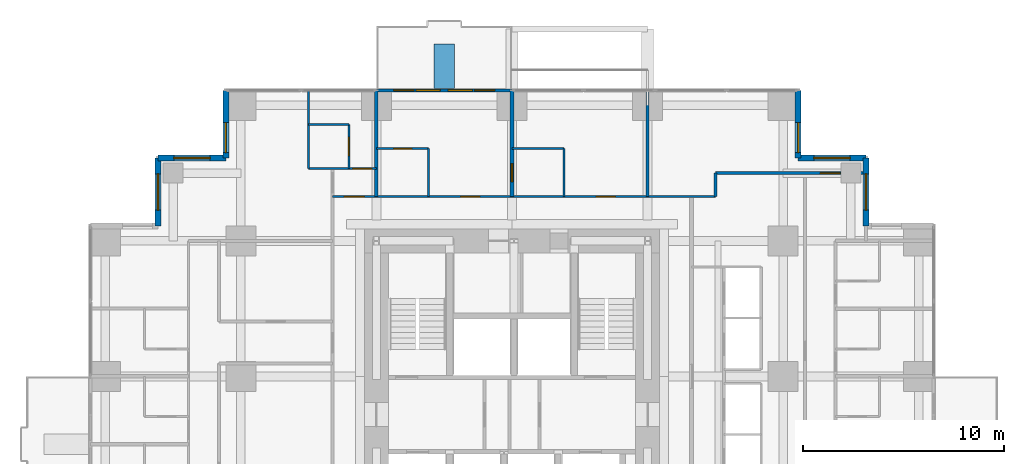
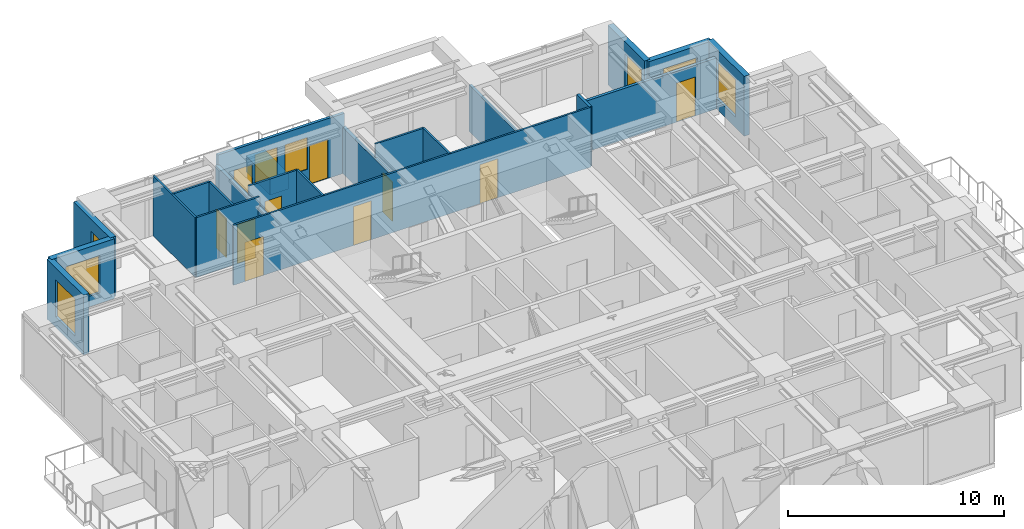
# One storey, part 11 of 13: 22 walls, 10 doors, 8 windows, 18 openings.
"""IFC4 building model written with IfcOpenShell, lengths in metres."""

from ifc_helpers import new_model, si_unit, direction, frame, frame_2d, origin, place, context, subcontext, project, spatial, rectangle, extrude, material, layer, layer_set, type_object, element, fill, save


model = new_model("IFC4")

# Units and contexts
model_context = context("Model", 3, precision=1e-05, world=origin(), true_north=direction((0.0, 1.0)))
body_context = subcontext(model_context, "Body", "Model", "MODEL_VIEW")
ifc_project = project(units=[si_unit("LENGTHUNIT", "METRE"), si_unit("AREAUNIT", "SQUARE_METRE"), si_unit("VOLUMEUNIT", "CUBIC_METRE"), si_unit("PLANEANGLEUNIT", "RADIAN"), si_unit("MASSUNIT", "GRAM", prefix="KILO")], contexts=[model_context])

# Site, building, storey
site_placement = place(None, origin())
site = spatial("IfcSite", under=ifc_project, at=site_placement, CompositionType="ELEMENT")
building_placement = place(site_placement, origin())
building = spatial("IfcBuilding", under=site, at=building_placement, Name="Nyansa Garden Tower", CompositionType="ELEMENT")
storey_placement = place(building_placement, frame((0.0, 0.0, 130.5)))
storey = spatial("IfcBuildingStorey", under=building, at=storey_placement, Name="L35", CompositionType="ELEMENT", Elevation=130.5)

# Wall
ifc_material_1 = material(Name="Dense blockwork, plastered both sides, 55 dB", Category="masonry")
ifc_layer_1 = layer(ifc_material_1, 0.175048828125)
ifc_layer_set_1 = layer_set([ifc_layer_1], Name="Acoustic party wall PW175")
wall_type_1 = type_object("IfcWallType", Name="Acoustic party wall PW175", PredefinedType="PARTITIONING", material=ifc_layer_set_1)
wall_1_placement = place(storey_placement, frame((13.5, 29.199951171875, 0.0), z_axis=(0.0, 0.0, 1.0), x_axis=(0.0, 1.0, 0.0)))
element("IfcWall", 1, at=wall_1_placement, inside=storey, type_object=wall_type_1, Name="Party wall", PredefinedType="PARTITIONING", context=body_context, shape_type="SweptSolid", body=[
    extrude(rectangle(XDim=5.283935546875, YDim=0.175048828125, at=frame_2d((2.64208984375, 0.0))), origin(), (0.0, 0.0, 1.0), 2.805908203125),
])

# Wall, opening, door
wall_2_placement = place(storey_placement, frame((20.25, 29.199951171875, 0.0), z_axis=(0.0, 0.0, 1.0), x_axis=(0.0, 1.0, 0.0)))
wall_2 = element("IfcWall", 2, at=wall_2_placement, inside=storey, type_object=wall_type_1, Name="Party wall", PredefinedType="PARTITIONING", context=body_context, shape_type="SweptSolid", body=[
    extrude(rectangle(XDim=5.283935546875, YDim=0.175048828125, at=frame_2d((2.64208984375, 0.0))), origin(), (0.0, 0.0, 1.0), 2.610107421875),
])
opening_1_placement = place(wall_2_placement, frame((0.75, 0.0, 0.0)))
opening_1 = element("IfcOpeningElement", 3, at=opening_1_placement, cuts=wall_2, Name="Opening D02", PredefinedType="OPENING", context=body_context, shape_type="SweptSolid", body=[
    extrude(rectangle(XDim=0.89990234375, YDim=2.199951171875, at=frame_2d((0.449951171875, 1.10009765625))), frame((0.0, 0.097412109375, 0.0), z_axis=(0.0, -1.0, 0.0), x_axis=(1.0, 0.0, 0.0)), (0.0, 0.0, 1.0), 0.195068359375),
])
ifc_material_2 = material(Name="Timber flush door", Category="wood")
door_type_1 = type_object("IfcDoorType", Name="En-suite door D02 900x2200", OperationType="SINGLE_SWING_RIGHT", PredefinedType="DOOR", material=ifc_material_2)
door_1_placement = place(opening_1_placement, origin())
door_1 = element("IfcDoor", 4, at=door_1_placement, inside=storey, type_object=door_type_1, Name="Door L35-050", OperationType="SINGLE_SWING_RIGHT", OverallHeight=2.199951171875, OverallWidth=0.89990234375, PredefinedType="DOOR", context=body_context, shape_type="SweptSolid", body=[
    extrude(rectangle(XDim=0.89990234375, YDim=2.199951171875, at=frame_2d((0.449951171875, 1.10009765625))), frame((0.0, 0.02490234375, 0.0), z_axis=(0.0, -1.0, 0.0), x_axis=(1.0, 0.0, 0.0)), (0.0, 0.0, 1.0), 0.050048828125),
])
fill(opening_1, door_1)

# Wall, openings, doors, windows
ifc_material_3 = material(Name="Black aluminium framed glazed screen", Category="aluminium")
ifc_layer_2 = layer(ifc_material_3, 0.14990234375)
ifc_layer_set_2 = layer_set([ifc_layer_2], Name="Balcony screen wall BW150")
wall_type_2 = type_object("IfcWallType", Name="Balcony screen wall BW150", PredefinedType="SOLIDWALL", material=ifc_layer_set_2)
wall_3_placement = place(storey_placement, frame((13.5, 34.5, 0.0), z_axis=(0.0, 0.0, 1.0), x_axis=(1.0, 0.0, 0.0)))
wall_3 = element("IfcWall", 5, at=wall_3_placement, inside=storey, type_object=wall_type_2, Name="Glazed screen wall L35 N", PredefinedType="SOLIDWALL", context=body_context, shape_type="SweptSolid", body=[
    extrude(rectangle(XDim=6.75, YDim=0.14990234375, at=frame_2d((3.375, 0.0))), origin(), (0.0, 0.0, 1.0), 3.375),
])
opening_2_placement = place(wall_3_placement, frame((0.862548828125, 0.0, 0.0)))
opening_2 = element("IfcOpeningElement", 6, at=opening_2_placement, cuts=wall_3, Name="Opening D20", PredefinedType="OPENING", context=body_context, shape_type="SweptSolid", body=[
    extrude(rectangle(XDim=1.0, YDim=2.199951171875, at=frame_2d((0.5, 1.10009765625))), frame((0.0, 0.0849609375, 0.0), z_axis=(0.0, -1.0, 0.0), x_axis=(1.0, 0.0, 0.0)), (0.0, 0.0, 1.0), 0.169921875),
])
opening_3_placement = place(wall_3_placement, frame((1.97509765625, 0.0, 0.89990234375)))
opening_3 = element("IfcOpeningElement", 7, at=opening_3_placement, cuts=wall_3, Name="Opening W6", PredefinedType="OPENING", context=body_context, shape_type="SweptSolid", body=[
    extrude(rectangle(XDim=1.199951171875, YDim=1.800048828125, at=frame_2d((0.60009765625, 0.89990234375))), frame((0.0, 0.0849609375, 0.0), z_axis=(0.0, -1.0, 0.0), x_axis=(1.0, 0.0, 0.0)), (0.0, 0.0, 1.0), 0.169921875),
])
opening_4_placement = place(wall_3_placement, frame((4.887451171875, 0.0, 0.0)))
opening_4 = element("IfcOpeningElement", 8, at=opening_4_placement, cuts=wall_3, Name="Opening D20", PredefinedType="OPENING", context=body_context, shape_type="SweptSolid", body=[
    extrude(rectangle(XDim=1.0, YDim=2.199951171875, at=frame_2d((0.5, 1.10009765625))), frame((0.0, 0.0849609375, 0.0), z_axis=(0.0, -1.0, 0.0), x_axis=(1.0, 0.0, 0.0)), (0.0, 0.0, 1.0), 0.169921875),
])
opening_5_placement = place(wall_3_placement, frame((3.574951171875, 0.0, 0.89990234375)))
opening_5 = element("IfcOpeningElement", 9, at=opening_5_placement, cuts=wall_3, Name="Opening W6", PredefinedType="OPENING", context=body_context, shape_type="SweptSolid", body=[
    extrude(rectangle(XDim=1.199951171875, YDim=1.800048828125, at=frame_2d((0.60009765625, 0.89990234375))), frame((0.0, 0.0849609375, 0.0), z_axis=(0.0, -1.0, 0.0), x_axis=(1.0, 0.0, 0.0)), (0.0, 0.0, 1.0), 0.169921875),
])
ifc_material_4 = material(Name="Black aluminium framed glazed door", Category="aluminium")
door_type_2 = type_object("IfcDoorType", Name="Balcony door D20 1000x2200", OperationType="NOTDEFINED", PredefinedType="DOOR", material=ifc_material_4)
door_2_placement = place(opening_2_placement, origin())
door_2 = element("IfcDoor", 10, at=door_2_placement, inside=storey, type_object=door_type_2, Name="Balcony door L35", OperationType="SINGLE_SWING_LEFT", OverallHeight=2.199951171875, OverallWidth=1.0, PredefinedType="DOOR", context=body_context, shape_type="SweptSolid", body=[
    extrude(rectangle(XDim=1.0, YDim=2.199951171875, at=frame_2d((0.5, 1.10009765625))), frame((0.0, 0.02490234375, 0.0), z_axis=(0.0, -1.0, 0.0), x_axis=(1.0, 0.0, 0.0)), (0.0, 0.0, 1.0), 0.050048828125),
])
fill(opening_2, door_2)
door_3_placement = place(opening_4_placement, origin())
door_3 = element("IfcDoor", 11, at=door_3_placement, inside=storey, type_object=door_type_2, Name="Balcony door L35", OperationType="SINGLE_SWING_RIGHT", OverallHeight=2.199951171875, OverallWidth=1.0, PredefinedType="DOOR", context=body_context, shape_type="SweptSolid", body=[
    extrude(rectangle(XDim=1.0, YDim=2.199951171875, at=frame_2d((0.5, 1.10009765625))), frame((0.0, 0.02490234375, 0.0), z_axis=(0.0, -1.0, 0.0), x_axis=(1.0, 0.0, 0.0)), (0.0, 0.0, 1.0), 0.050048828125),
])
fill(opening_4, door_3)
ifc_material_5 = material(Name="Black aluminium frame, dark tinted double glazing", Category="aluminium")
window_type_1 = type_object("IfcWindowType", Name="Balcony window W6 1200x1800", PartitioningType="SINGLE_PANEL", PredefinedType="WINDOW", material=ifc_material_5)
window_1_placement = place(opening_3_placement, origin())
window_1 = element("IfcWindow", 12, at=window_1_placement, inside=storey, type_object=window_type_1, Name="Window L35", OverallHeight=1.800048828125, OverallWidth=1.199951171875, PartitioningType="SINGLE_PANEL", PredefinedType="WINDOW", context=body_context, shape_type="SweptSolid", body=[
    extrude(rectangle(XDim=1.199951171875, YDim=1.800048828125, at=frame_2d((0.60009765625, 0.89990234375))), frame((0.0, 0.030029296875, 0.0), z_axis=(0.0, -1.0, 0.0), x_axis=(1.0, 0.0, 0.0)), (0.0, 0.0, 1.0), 0.06005859375),
])
fill(opening_3, window_1)
window_2_placement = place(opening_5_placement, origin())
window_2 = element("IfcWindow", 13, at=window_2_placement, inside=storey, type_object=window_type_1, Name="Window L35", OverallHeight=1.800048828125, OverallWidth=1.199951171875, PartitioningType="SINGLE_PANEL", PredefinedType="WINDOW", context=body_context, shape_type="SweptSolid", body=[
    extrude(rectangle(XDim=1.199951171875, YDim=1.800048828125, at=frame_2d((0.60009765625, 0.89990234375))), frame((0.0, 0.030029296875, 0.0), z_axis=(0.0, -1.0, 0.0), x_axis=(1.0, 0.0, 0.0)), (0.0, 0.0, 1.0), 0.06005859375),
])
fill(opening_5, window_2)

# Walls
ifc_material_6 = material(Name="Blockwork, plastered both sides", Category="masonry")
ifc_layer_3 = layer(ifc_material_6, 0.14990234375)
ifc_layer_set_3 = layer_set([ifc_layer_3], Name="Partition PW150")
wall_type_3 = type_object("IfcWallType", Name="Partition PW150", PredefinedType="PARTITIONING", material=ifc_layer_set_3)
wall_4_placement = place(storey_placement, frame((27.0, 29.199951171875, 0.0), z_axis=(0.0, 0.0, 1.0), x_axis=(0.0, 1.0, 0.0)))
element("IfcWall", 14, at=wall_4_placement, inside=storey, type_object=wall_type_3, Name="Partition", PredefinedType="PARTITIONING", context=body_context, shape_type="SweptSolid", body=[
    extrude(rectangle(XDim=5.283935546875, YDim=0.14990234375, at=frame_2d((2.64208984375, 0.0))), origin(), (0.0, 0.0, 1.0), 2.610107421875),
])
wall_5_placement = place(storey_placement, frame((30.375, 29.199951171875, 0.0), z_axis=(0.0, 0.0, 1.0), x_axis=(0.0, 1.0, 0.0)))
element("IfcWall", 15, at=wall_5_placement, inside=storey, type_object=wall_type_3, Name="Partition", PredefinedType="PARTITIONING", context=body_context, shape_type="SweptSolid", body=[
    extrude(rectangle(XDim=1.175048828125, YDim=0.14990234375, at=frame_2d((0.58740234375, 0.0))), origin(), (0.0, 0.0, 1.0), 3.375),
])

# Wall, opening, door
wall_6_placement = place(storey_placement, frame((30.375, 30.375, 0.0), z_axis=(0.0, 0.0, 1.0), x_axis=(1.0, 0.0, 0.0)))
wall_6 = element("IfcWall", 16, at=wall_6_placement, inside=storey, type_object=wall_type_3, Name="Partition", PredefinedType="PARTITIONING", context=body_context, shape_type="SweptSolid", body=[
    extrude(rectangle(XDim=7.35009765625, YDim=0.14990234375, at=frame_2d((3.675048828125, 0.0))), origin(), (0.0, 0.0, 1.0), 2.876953125),
])
opening_6_placement = place(wall_6_placement, frame((5.22509765625, 0.0, 0.0)))
opening_6 = element("IfcOpeningElement", 17, at=opening_6_placement, cuts=wall_6, Name="Opening D03", PredefinedType="OPENING", context=body_context, shape_type="SweptSolid", body=[
    extrude(rectangle(XDim=1.0, YDim=2.199951171875, at=frame_2d((0.5, 1.10009765625))), frame((0.0, 0.0849609375, 0.0), z_axis=(0.0, -1.0, 0.0), x_axis=(1.0, 0.0, 0.0)), (0.0, 0.0, 1.0), 0.169921875),
])
ifc_material_7 = material(Name="Timber flush door, 60 minute fire resisting", Category="wood")
door_type_3 = type_object("IfcDoorType", Name="Cluster entrance door D03 1000x2200", OperationType="SINGLE_SWING_LEFT", PredefinedType="DOOR", material=ifc_material_7)
door_4_placement = place(opening_6_placement, origin())
door_4 = element("IfcDoor", 18, at=door_4_placement, inside=storey, type_object=door_type_3, Name="Door L35-046", OperationType="SINGLE_SWING_LEFT", OverallHeight=2.199951171875, OverallWidth=1.0, PredefinedType="DOOR", context=body_context, shape_type="SweptSolid", body=[
    extrude(rectangle(XDim=1.0, YDim=2.199951171875, at=frame_2d((0.5, 1.10009765625))), frame((0.0, 0.02490234375, 0.0), z_axis=(0.0, -1.0, 0.0), x_axis=(1.0, 0.0, 0.0)), (0.0, 0.0, 1.0), 0.050048828125),
])
fill(opening_6, door_4)

# Wall, opening, window
ifc_material_8 = material(Name="Turquoise glazed tile on concrete blockwork", Category="masonry")
ifc_layer_4 = layer(ifc_material_8, 0.300048828125)
ifc_layer_set_4 = layer_set([ifc_layer_4], Name="Tiled corner wall TW300")
wall_type_4 = type_object("IfcWallType", Name="Tiled corner wall TW300", PredefinedType="SOLIDWALL", material=ifc_layer_set_4)
wall_7_placement = place(storey_placement, frame((37.875, 27.75, 0.0), z_axis=(0.0, 0.0, 1.0), x_axis=(0.0, 1.0, 0.0)))
wall_7 = element("IfcWall", 19, at=wall_7_placement, inside=storey, type_object=wall_type_4, Name="Tiled corner wall L35", PredefinedType="SOLIDWALL", context=body_context, shape_type="SweptSolid", body=[
    extrude(rectangle(XDim=3.375, YDim=0.300048828125, at=frame_2d((1.6875, 0.0))), origin(), (0.0, 0.0, 1.0), 3.375),
])
opening_7_placement = place(wall_7_placement, frame((0.78759765625, 0.0, 0.60009765625)))
opening_7 = element("IfcOpeningElement", 20, at=opening_7_placement, cuts=wall_7, Name="Opening W2", PredefinedType="OPENING", context=body_context, shape_type="SweptSolid", body=[
    extrude(rectangle(XDim=1.800048828125, YDim=2.10009765625, at=frame_2d((0.89990234375, 1.050048828125))), frame((0.0, 0.159912109375, 0.0), z_axis=(0.0, -1.0, 0.0), x_axis=(1.0, 0.0, 0.0)), (0.0, 0.0, 1.0), 0.320068359375),
])
ifc_material_9 = material(Name="Black aluminium frame, dark tinted double glazing", Category="aluminium")
window_type_2 = type_object("IfcWindowType", Name="Window W2 1800x2100", PartitioningType="SINGLE_PANEL", PredefinedType="WINDOW", material=ifc_material_9)
window_3_placement = place(opening_7_placement, origin())
window_3 = element("IfcWindow", 21, at=window_3_placement, inside=storey, type_object=window_type_2, Name="Corner window L35", OverallHeight=2.10009765625, OverallWidth=1.800048828125, PartitioningType="SINGLE_PANEL", PredefinedType="WINDOW", context=body_context, shape_type="SweptSolid", body=[
    extrude(rectangle(XDim=1.800048828125, YDim=2.10009765625, at=frame_2d((0.89990234375, 1.050048828125))), frame((0.0, 0.030029296875, 0.0), z_axis=(0.0, -1.0, 0.0), x_axis=(1.0, 0.0, 0.0)), (0.0, 0.0, 1.0), 0.06005859375),
])
fill(opening_7, window_3)

wall_8_placement = place(storey_placement, frame((37.875, 31.125, 0.0), z_axis=(0.0, 0.0, 1.0), x_axis=(-1.0, 0.0, 0.0)))
wall_8 = element("IfcWall", 22, at=wall_8_placement, inside=storey, type_object=wall_type_4, Name="Tiled corner wall L35", PredefinedType="SOLIDWALL", context=body_context, shape_type="SweptSolid", body=[
    extrude(rectangle(XDim=3.375, YDim=0.300048828125, at=frame_2d((1.6875, 0.0))), origin(), (0.0, 0.0, 1.0), 3.375),
])
opening_8_placement = place(wall_8_placement, frame((0.78759765625, 0.0, 0.60009765625)))
opening_8 = element("IfcOpeningElement", 23, at=opening_8_placement, cuts=wall_8, Name="Opening W2", PredefinedType="OPENING", context=body_context, shape_type="SweptSolid", body=[
    extrude(rectangle(XDim=1.800048828125, YDim=2.10009765625, at=frame_2d((0.89990234375, 1.050048828125))), frame((0.0, 0.159912109375, 0.0), z_axis=(0.0, -1.0, 0.0), x_axis=(1.0, 0.0, 0.0)), (0.0, 0.0, 1.0), 0.320068359375),
])
window_4_placement = place(opening_8_placement, origin())
window_4 = element("IfcWindow", 24, at=window_4_placement, inside=storey, type_object=window_type_2, Name="Corner window L35", OverallHeight=2.10009765625, OverallWidth=1.800048828125, PartitioningType="SINGLE_PANEL", PredefinedType="WINDOW", context=body_context, shape_type="SweptSolid", body=[
    extrude(rectangle(XDim=1.800048828125, YDim=2.10009765625, at=frame_2d((0.89990234375, 1.050048828125))), frame((0.0, 0.030029296875, 0.0), z_axis=(0.0, -1.0, 0.0), x_axis=(1.0, 0.0, 0.0)), (0.0, 0.0, 1.0), 0.06005859375),
])
fill(opening_8, window_4)

wall_9_placement = place(storey_placement, frame((34.5, 31.125, 0.0), z_axis=(0.0, 0.0, 1.0), x_axis=(0.0, 1.0, 0.0)))
wall_9 = element("IfcWall", 25, at=wall_9_placement, inside=storey, type_object=wall_type_4, Name="Tiled corner wall L35", PredefinedType="SOLIDWALL", context=body_context, shape_type="SweptSolid", body=[
    extrude(rectangle(XDim=3.375, YDim=0.300048828125, at=frame_2d((1.6875, 0.0))), origin(), (0.0, 0.0, 1.0), 3.375),
])
opening_9_placement = place(wall_9_placement, frame((0.267578125, 0.0, 0.89990234375)))
opening_9 = element("IfcOpeningElement", 26, at=opening_9_placement, cuts=wall_9, Name="Opening W1", PredefinedType="OPENING", context=body_context, shape_type="SweptSolid", body=[
    extrude(rectangle(XDim=1.5, YDim=1.800048828125, at=frame_2d((0.75, 0.89990234375))), frame((0.0, 0.159912109375, 0.0), z_axis=(0.0, -1.0, 0.0), x_axis=(1.0, 0.0, 0.0)), (0.0, 0.0, 1.0), 0.320068359375),
])
ifc_material_10 = material(Name="Black aluminium frame, dark tinted double glazing", Category="aluminium")
window_type_3 = type_object("IfcWindowType", Name="Window W1 1500x1800", PartitioningType="SINGLE_PANEL", PredefinedType="WINDOW", material=ifc_material_10)
window_5_placement = place(opening_9_placement, origin())
window_5 = element("IfcWindow", 27, at=window_5_placement, inside=storey, type_object=window_type_3, Name="Corner window L35", OverallHeight=1.800048828125, OverallWidth=1.5, PartitioningType="SINGLE_PANEL", PredefinedType="WINDOW", context=body_context, shape_type="SweptSolid", body=[
    extrude(rectangle(XDim=1.5, YDim=1.800048828125, at=frame_2d((0.75, 0.89990234375))), frame((0.0, 0.030029296875, 0.0), z_axis=(0.0, -1.0, 0.0), x_axis=(1.0, 0.0, 0.0)), (0.0, 0.0, 1.0), 0.06005859375),
])
fill(opening_9, window_5)

wall_10_placement = place(storey_placement, frame((6.0, 34.5, 0.0), z_axis=(0.0, 0.0, 1.0), x_axis=(0.0, -1.0, 0.0)))
wall_10 = element("IfcWall", 28, at=wall_10_placement, inside=storey, type_object=wall_type_4, Name="Tiled corner wall L35", PredefinedType="SOLIDWALL", context=body_context, shape_type="SweptSolid", body=[
    extrude(rectangle(XDim=3.375, YDim=0.300048828125, at=frame_2d((1.6875, 0.0))), origin(), (0.0, 0.0, 1.0), 3.375),
])
opening_10_placement = place(wall_10_placement, frame((1.607421875, 0.0, 0.89990234375)))
opening_10 = element("IfcOpeningElement", 29, at=opening_10_placement, cuts=wall_10, Name="Opening W1", PredefinedType="OPENING", context=body_context, shape_type="SweptSolid", body=[
    extrude(rectangle(XDim=1.5, YDim=1.800048828125, at=frame_2d((0.75, 0.89990234375))), frame((0.0, 0.159912109375, 0.0), z_axis=(0.0, -1.0, 0.0), x_axis=(1.0, 0.0, 0.0)), (0.0, 0.0, 1.0), 0.320068359375),
])
window_6_placement = place(opening_10_placement, origin())
window_6 = element("IfcWindow", 30, at=window_6_placement, inside=storey, type_object=window_type_3, Name="Corner window L35", OverallHeight=1.800048828125, OverallWidth=1.5, PartitioningType="SINGLE_PANEL", PredefinedType="WINDOW", context=body_context, shape_type="SweptSolid", body=[
    extrude(rectangle(XDim=1.5, YDim=1.800048828125, at=frame_2d((0.75, 0.89990234375))), frame((0.0, 0.030029296875, 0.0), z_axis=(0.0, -1.0, 0.0), x_axis=(1.0, 0.0, 0.0)), (0.0, 0.0, 1.0), 0.06005859375),
])
fill(opening_10, window_6)

wall_11_placement = place(storey_placement, frame((6.0, 31.125, 0.0), z_axis=(0.0, 0.0, 1.0), x_axis=(-1.0, 0.0, 0.0)))
wall_11 = element("IfcWall", 31, at=wall_11_placement, inside=storey, type_object=wall_type_4, Name="Tiled corner wall L35", PredefinedType="SOLIDWALL", context=body_context, shape_type="SweptSolid", body=[
    extrude(rectangle(XDim=3.375, YDim=0.300048828125, at=frame_2d((1.6875, 0.0))), origin(), (0.0, 0.0, 1.0), 3.375),
])
opening_11_placement = place(wall_11_placement, frame((0.78759765625, 0.0, 0.60009765625)))
opening_11 = element("IfcOpeningElement", 32, at=opening_11_placement, cuts=wall_11, Name="Opening W2", PredefinedType="OPENING", context=body_context, shape_type="SweptSolid", body=[
    extrude(rectangle(XDim=1.800048828125, YDim=2.10009765625, at=frame_2d((0.89990234375, 1.050048828125))), frame((0.0, 0.159912109375, 0.0), z_axis=(0.0, -1.0, 0.0), x_axis=(1.0, 0.0, 0.0)), (0.0, 0.0, 1.0), 0.320068359375),
])
window_7_placement = place(opening_11_placement, origin())
window_7 = element("IfcWindow", 33, at=window_7_placement, inside=storey, type_object=window_type_2, Name="Corner window L35", OverallHeight=2.10009765625, OverallWidth=1.800048828125, PartitioningType="SINGLE_PANEL", PredefinedType="WINDOW", context=body_context, shape_type="SweptSolid", body=[
    extrude(rectangle(XDim=1.800048828125, YDim=2.10009765625, at=frame_2d((0.89990234375, 1.050048828125))), frame((0.0, 0.030029296875, 0.0), z_axis=(0.0, -1.0, 0.0), x_axis=(1.0, 0.0, 0.0)), (0.0, 0.0, 1.0), 0.06005859375),
])
fill(opening_11, window_7)

wall_12_placement = place(storey_placement, frame((2.625, 31.125, 0.0), z_axis=(0.0, 0.0, 1.0), x_axis=(0.0, -1.0, 0.0)))
wall_12 = element("IfcWall", 34, at=wall_12_placement, inside=storey, type_object=wall_type_4, Name="Tiled corner wall L35", PredefinedType="SOLIDWALL", context=body_context, shape_type="SweptSolid", body=[
    extrude(rectangle(XDim=3.375, YDim=0.300048828125, at=frame_2d((1.6875, 0.0))), origin(), (0.0, 0.0, 1.0), 3.375),
])
opening_12_placement = place(wall_12_placement, frame((0.78759765625, 0.0, 0.60009765625)))
opening_12 = element("IfcOpeningElement", 35, at=opening_12_placement, cuts=wall_12, Name="Opening W2", PredefinedType="OPENING", context=body_context, shape_type="SweptSolid", body=[
    extrude(rectangle(XDim=1.800048828125, YDim=2.10009765625, at=frame_2d((0.89990234375, 1.050048828125))), frame((0.0, 0.159912109375, 0.0), z_axis=(0.0, -1.0, 0.0), x_axis=(1.0, 0.0, 0.0)), (0.0, 0.0, 1.0), 0.320068359375),
])
window_8_placement = place(opening_12_placement, origin())
window_8 = element("IfcWindow", 36, at=window_8_placement, inside=storey, type_object=window_type_2, Name="Corner window L35", OverallHeight=2.10009765625, OverallWidth=1.800048828125, PartitioningType="SINGLE_PANEL", PredefinedType="WINDOW", context=body_context, shape_type="SweptSolid", body=[
    extrude(rectangle(XDim=1.800048828125, YDim=2.10009765625, at=frame_2d((0.89990234375, 1.050048828125))), frame((0.0, 0.030029296875, 0.0), z_axis=(0.0, -1.0, 0.0), x_axis=(1.0, 0.0, 0.0)), (0.0, 0.0, 1.0), 0.06005859375),
])
fill(opening_12, window_8)

# Walls
ifc_material_11 = material(Name="Concrete C40/50 planter, waterproofed", Category="concrete")
ifc_layer_5 = layer(ifc_material_11, 1.0)
ifc_layer_set_5 = layer_set([ifc_layer_5], Name="Tree planter TP1")
wall_type_5 = type_object("IfcWallType", Name="Tree planter TP1", PredefinedType="USERDEFINED", material=ifc_layer_set_5)
wall_13_placement = place(storey_placement, frame((16.875, 34.60009765625, 0.0), z_axis=(0.0, 0.0, 1.0), x_axis=(0.0, 1.0, 0.0)))
element("IfcWall", 37, at=wall_13_placement, inside=storey, type_object=wall_type_5, Name="Tree planter L35", ObjectType="TREE PLANTER", PredefinedType="USERDEFINED", context=body_context, shape_type="SweptSolid", body=[
    extrude(rectangle(XDim=2.199951171875, YDim=1.0, at=frame_2d((1.10009765625, 0.0))), origin(), (0.0, 0.0, 1.0), 0.89990234375),
])
ifc_material_12 = material(Name="Moisture resistant board on steel studs, tiled", Category="steel")
ifc_layer_6 = layer(ifc_material_12, 0.10009765625)
ifc_layer_set_6 = layer_set([ifc_layer_6], Name="Wet wall PW100")
wall_type_6 = type_object("IfcWallType", Name="Wet wall PW100", PredefinedType="PARTITIONING", material=ifc_layer_set_6)
wall_14_placement = place(storey_placement, frame((10.125, 30.60009765625, 0.0), z_axis=(0.0, 0.0, 1.0), x_axis=(0.0, 1.0, 0.0)))
element("IfcWall", 38, at=wall_14_placement, inside=storey, type_object=wall_type_6, Name="Wet wall", PredefinedType="PARTITIONING", context=body_context, shape_type="SweptSolid", body=[
    extrude(rectangle(XDim=3.8837890625, YDim=0.10009765625, at=frame_2d((1.94189453125, 0.0))), origin(), (0.0, 0.0, 1.0), 3.375),
])

# Wall, opening, door
wall_15_placement = place(storey_placement, frame((10.125, 30.60009765625, 0.0), z_axis=(0.0, 0.0, 1.0), x_axis=(1.0, 0.0, 0.0)))
wall_15 = element("IfcWall", 39, at=wall_15_placement, inside=storey, type_object=wall_type_6, Name="Wet wall", PredefinedType="PARTITIONING", context=body_context, shape_type="SweptSolid", body=[
    extrude(rectangle(XDim=3.375, YDim=0.10009765625, at=frame_2d((1.6875, 0.0))), origin(), (0.0, 0.0, 1.0), 3.375),
])
opening_13_placement = place(wall_15_placement, frame((2.199951171875, 0.0, 0.0)))
opening_13 = element("IfcOpeningElement", 40, at=opening_13_placement, cuts=wall_15, Name="Opening D14", PredefinedType="OPENING", context=body_context, shape_type="SweptSolid", body=[
    extrude(rectangle(XDim=0.949951171875, YDim=2.199951171875, at=frame_2d((0.47509765625, 1.10009765625))), frame((0.0, 0.06005859375, 0.0), z_axis=(0.0, -1.0, 0.0), x_axis=(1.0, 0.0, 0.0)), (0.0, 0.0, 1.0), 0.1201171875),
])
ifc_material_13 = material(Name="Timber flush door, 60 minute fire resisting, self-closing", Category="wood")
door_type_4 = type_object("IfcDoorType", Name="Studio entrance door D14 950x2200", OperationType="SINGLE_SWING_LEFT", PredefinedType="DOOR", material=ifc_material_13)
door_5_placement = place(opening_13_placement, origin())
door_5 = element("IfcDoor", 41, at=door_5_placement, inside=storey, type_object=door_type_4, Name="Door L35-051", OperationType="SINGLE_SWING_LEFT", OverallHeight=2.199951171875, OverallWidth=0.949951171875, PredefinedType="DOOR", context=body_context, shape_type="SweptSolid", body=[
    extrude(rectangle(XDim=0.949951171875, YDim=2.199951171875, at=frame_2d((0.47509765625, 1.10009765625))), frame((0.0, 0.02490234375, 0.0), z_axis=(0.0, -1.0, 0.0), x_axis=(1.0, 0.0, 0.0)), (0.0, 0.0, 1.0), 0.050048828125),
])
fill(opening_13, door_5)

# Wall
wall_16_placement = place(storey_placement, frame((10.125, 32.800048828125, 0.0), z_axis=(0.0, 0.0, 1.0), x_axis=(1.0, 0.0, 0.0)))
element("IfcWall", 42, at=wall_16_placement, inside=storey, type_object=wall_type_6, Name="Wet wall", PredefinedType="PARTITIONING", context=body_context, shape_type="SweptSolid", body=[
    extrude(rectangle(XDim=2.0, YDim=0.10009765625, at=frame_2d((1.0, 0.0))), origin(), (0.0, 0.0, 1.0), 3.375),
])

# Wall, openings, doors
wall_17_placement = place(storey_placement, frame((11.300048828125, 29.199951171875, 0.0), z_axis=(0.0, 0.0, 1.0), x_axis=(1.0, 0.0, 0.0)))
wall_17 = element("IfcWall", 43, at=wall_17_placement, inside=storey, type_object=wall_type_6, Name="Wet wall", PredefinedType="PARTITIONING", context=body_context, shape_type="SweptSolid", body=[
    extrude(rectangle(XDim=19.074951171875, YDim=0.10009765625, at=frame_2d((9.53759765625, 0.0))), origin(), (0.0, 0.0, 1.0), 3.375),
])
opening_14_placement = place(wall_17_placement, frame((6.39990234375, 0.0, 0.0)))
opening_14 = element("IfcOpeningElement", 44, at=opening_14_placement, cuts=wall_17, Name="Opening D14", PredefinedType="OPENING", context=body_context, shape_type="SweptSolid", body=[
    extrude(rectangle(XDim=0.949951171875, YDim=2.199951171875, at=frame_2d((0.47509765625, 1.10009765625))), frame((0.0, 0.06005859375, 0.0), z_axis=(0.0, -1.0, 0.0), x_axis=(1.0, 0.0, 0.0)), (0.0, 0.0, 1.0), 0.1201171875),
])
opening_15_placement = place(wall_17_placement, frame((13.14990234375, 0.0, 0.0)))
opening_15 = element("IfcOpeningElement", 45, at=opening_15_placement, cuts=wall_17, Name="Opening D14", PredefinedType="OPENING", context=body_context, shape_type="SweptSolid", body=[
    extrude(rectangle(XDim=0.949951171875, YDim=2.199951171875, at=frame_2d((0.47509765625, 1.10009765625))), frame((0.0, 0.06005859375, 0.0), z_axis=(0.0, -1.0, 0.0), x_axis=(1.0, 0.0, 0.0)), (0.0, 0.0, 1.0), 0.1201171875),
])
opening_16_placement = place(wall_17_placement, frame((0.60009765625, 0.0, 0.0)))
opening_16 = element("IfcOpeningElement", 46, at=opening_16_placement, cuts=wall_17, Name="Opening D03", PredefinedType="OPENING", context=body_context, shape_type="SweptSolid", body=[
    extrude(rectangle(XDim=1.0, YDim=2.199951171875, at=frame_2d((0.5, 1.10009765625))), frame((0.0, 0.06005859375, 0.0), z_axis=(0.0, -1.0, 0.0), x_axis=(1.0, 0.0, 0.0)), (0.0, 0.0, 1.0), 0.1201171875),
])
door_6_placement = place(opening_16_placement, origin())
door_6 = element("IfcDoor", 47, at=door_6_placement, inside=storey, type_object=door_type_3, Name="Door L35-053", OperationType="SINGLE_SWING_LEFT", OverallHeight=2.199951171875, OverallWidth=1.0, PredefinedType="DOOR", context=body_context, shape_type="SweptSolid", body=[
    extrude(rectangle(XDim=1.0, YDim=2.199951171875, at=frame_2d((0.5, 1.10009765625))), frame((0.0, 0.02490234375, 0.0), z_axis=(0.0, -1.0, 0.0), x_axis=(1.0, 0.0, 0.0)), (0.0, 0.0, 1.0), 0.050048828125),
])
fill(opening_16, door_6)
door_7_placement = place(opening_14_placement, origin())
door_7 = element("IfcDoor", 48, at=door_7_placement, inside=storey, type_object=door_type_4, Name="Door L35-047", OperationType="SINGLE_SWING_LEFT", OverallHeight=2.199951171875, OverallWidth=0.949951171875, PredefinedType="DOOR", context=body_context, shape_type="SweptSolid", body=[
    extrude(rectangle(XDim=0.949951171875, YDim=2.199951171875, at=frame_2d((0.47509765625, 1.10009765625))), frame((0.0, 0.02490234375, 0.0), z_axis=(0.0, -1.0, 0.0), x_axis=(1.0, 0.0, 0.0)), (0.0, 0.0, 1.0), 0.050048828125),
])
fill(opening_14, door_7)
door_8_placement = place(opening_15_placement, origin())
door_8 = element("IfcDoor", 49, at=door_8_placement, inside=storey, type_object=door_type_4, Name="Door L35-049", OperationType="SINGLE_SWING_LEFT", OverallHeight=2.199951171875, OverallWidth=0.949951171875, PredefinedType="DOOR", context=body_context, shape_type="SweptSolid", body=[
    extrude(rectangle(XDim=0.949951171875, YDim=2.199951171875, at=frame_2d((0.47509765625, 1.10009765625))), frame((0.0, 0.02490234375, 0.0), z_axis=(0.0, -1.0, 0.0), x_axis=(1.0, 0.0, 0.0)), (0.0, 0.0, 1.0), 0.050048828125),
])
fill(opening_15, door_8)

# Wall, opening, door
wall_18_placement = place(storey_placement, frame((12.125, 30.60009765625, 0.0), z_axis=(0.0, 0.0, 1.0), x_axis=(0.0, 1.0, 0.0)))
wall_18 = element("IfcWall", 50, at=wall_18_placement, inside=storey, type_object=wall_type_6, Name="Wet wall", PredefinedType="PARTITIONING", context=body_context, shape_type="SweptSolid", body=[
    extrude(rectangle(XDim=2.199951171875, YDim=0.10009765625, at=frame_2d((1.10009765625, 0.0))), origin(), (0.0, 0.0, 1.0), 3.375),
])
opening_17_placement = place(wall_18_placement, frame((0.64990234375, 0.0, 0.0)))
opening_17 = element("IfcOpeningElement", 51, at=opening_17_placement, cuts=wall_18, Name="Opening D02", PredefinedType="OPENING", context=body_context, shape_type="SweptSolid", body=[
    extrude(rectangle(XDim=0.89990234375, YDim=2.199951171875, at=frame_2d((0.449951171875, 1.10009765625))), frame((0.0, 0.06005859375, 0.0), z_axis=(0.0, -1.0, 0.0), x_axis=(1.0, 0.0, 0.0)), (0.0, 0.0, 1.0), 0.1201171875),
])
door_9_placement = place(opening_17_placement, origin())
door_9 = element("IfcDoor", 52, at=door_9_placement, inside=storey, type_object=door_type_1, Name="Door L35-052", OperationType="SINGLE_SWING_RIGHT", OverallHeight=2.199951171875, OverallWidth=0.89990234375, PredefinedType="DOOR", context=body_context, shape_type="SweptSolid", body=[
    extrude(rectangle(XDim=0.89990234375, YDim=2.199951171875, at=frame_2d((0.449951171875, 1.10009765625))), frame((0.0, 0.02490234375, 0.0), z_axis=(0.0, -1.0, 0.0), x_axis=(1.0, 0.0, 0.0)), (0.0, 0.0, 1.0), 0.050048828125),
])
fill(opening_17, door_9)

wall_19_placement = place(storey_placement, frame((13.5, 31.60009765625, 0.0), z_axis=(0.0, 0.0, 1.0), x_axis=(1.0, 0.0, 0.0)))
wall_19 = element("IfcWall", 53, at=wall_19_placement, inside=storey, type_object=wall_type_6, Name="Wet wall", PredefinedType="PARTITIONING", context=body_context, shape_type="SweptSolid", body=[
    extrude(rectangle(XDim=2.60009765625, YDim=0.10009765625, at=frame_2d((1.300048828125, 0.0))), origin(), (0.0, 0.0, 1.0), 3.375),
])
opening_18_placement = place(wall_19_placement, frame((0.85009765625, 0.0, 0.0)))
opening_18 = element("IfcOpeningElement", 54, at=opening_18_placement, cuts=wall_19, Name="Opening D02", PredefinedType="OPENING", context=body_context, shape_type="SweptSolid", body=[
    extrude(rectangle(XDim=0.89990234375, YDim=2.199951171875, at=frame_2d((0.449951171875, 1.10009765625))), frame((0.0, 0.06005859375, 0.0), z_axis=(0.0, -1.0, 0.0), x_axis=(1.0, 0.0, 0.0)), (0.0, 0.0, 1.0), 0.1201171875),
])
door_10_placement = place(opening_18_placement, origin())
door_10 = element("IfcDoor", 55, at=door_10_placement, inside=storey, type_object=door_type_1, Name="Door L35-048", OperationType="SINGLE_SWING_RIGHT", OverallHeight=2.199951171875, OverallWidth=0.89990234375, PredefinedType="DOOR", context=body_context, shape_type="SweptSolid", body=[
    extrude(rectangle(XDim=0.89990234375, YDim=2.199951171875, at=frame_2d((0.449951171875, 1.10009765625))), frame((0.0, 0.02490234375, 0.0), z_axis=(0.0, -1.0, 0.0), x_axis=(1.0, 0.0, 0.0)), (0.0, 0.0, 1.0), 0.050048828125),
])
fill(opening_18, door_10)

# Walls
wall_20_placement = place(storey_placement, frame((16.10009765625, 29.199951171875, 0.0), z_axis=(0.0, 0.0, 1.0), x_axis=(0.0, 1.0, 0.0)))
element("IfcWall", 56, at=wall_20_placement, inside=storey, type_object=wall_type_6, Name="Wet wall", PredefinedType="PARTITIONING", context=body_context, shape_type="SweptSolid", body=[
    extrude(rectangle(XDim=2.400146484375, YDim=0.10009765625, at=frame_2d((1.2001953125, 0.0))), origin(), (0.0, 0.0, 1.0), 3.375),
])
wall_21_placement = place(storey_placement, frame((20.25, 31.60009765625, 0.0), z_axis=(0.0, 0.0, 1.0), x_axis=(1.0, 0.0, 0.0)))
element("IfcWall", 57, at=wall_21_placement, inside=storey, type_object=wall_type_6, Name="Wet wall", PredefinedType="PARTITIONING", context=body_context, shape_type="SweptSolid", body=[
    extrude(rectangle(XDim=2.60009765625, YDim=0.10009765625, at=frame_2d((1.300048828125, 0.0))), origin(), (0.0, 0.0, 1.0), 3.375),
])
wall_22_placement = place(storey_placement, frame((22.85009765625, 29.199951171875, 0.0), z_axis=(0.0, 0.0, 1.0), x_axis=(0.0, 1.0, 0.0)))
element("IfcWall", 58, at=wall_22_placement, inside=storey, type_object=wall_type_6, Name="Wet wall", PredefinedType="PARTITIONING", context=body_context, shape_type="SweptSolid", body=[
    extrude(rectangle(XDim=2.400146484375, YDim=0.10009765625, at=frame_2d((1.2001953125, 0.0))), origin(), (0.0, 0.0, 1.0), 3.375),
])

save(model, "model.ifc")
